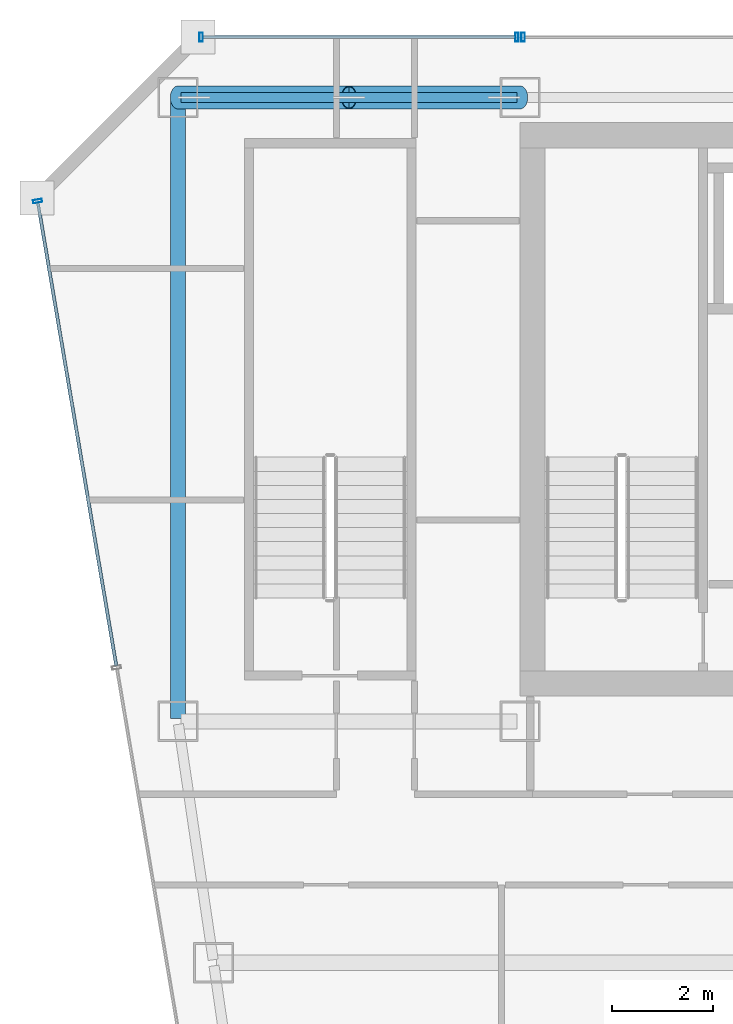
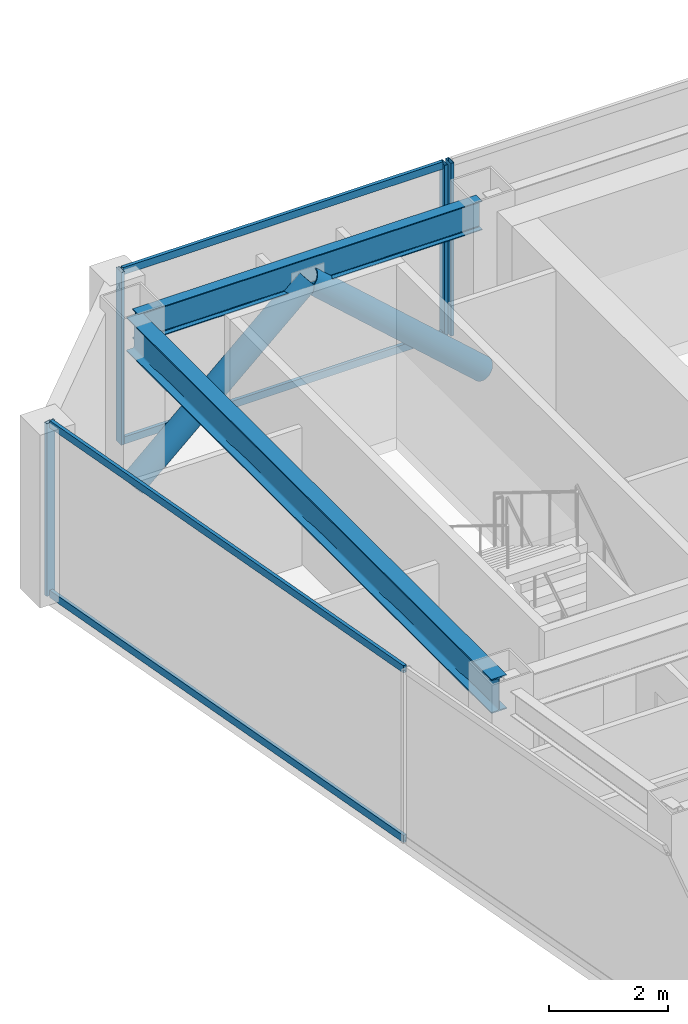
# One storey, part 23 of 36: 10 members, 2 beams, 3 elements without a shape of their own.
"""IFC4 building model written with IfcOpenShell, lengths in metres."""

from ifc_helpers import new_model, si_unit, direction, frame, origin, origin_2d, place, context, subcontext, project, spatial, hollow_rectangle, hollow_circle, i_section, extrude, material, material_profile, profile_set, type_object, element, aggregate, save


model = new_model("IFC4")

# Units and contexts
model_context = context("Model", 3, precision=1e-05, world=origin(), true_north=direction((0.0, 1.0)))
body_context = subcontext(model_context, "Body", "Model", "MODEL_VIEW")
ifc_project = project(units=[si_unit("LENGTHUNIT", "METRE"), si_unit("AREAUNIT", "SQUARE_METRE"), si_unit("VOLUMEUNIT", "CUBIC_METRE"), si_unit("PLANEANGLEUNIT", "RADIAN"), si_unit("MASSUNIT", "GRAM", prefix="KILO")], contexts=[model_context])

# Site, building, storey
site_placement = place(None, origin())
site = spatial("IfcSite", under=ifc_project, at=site_placement, CompositionType="ELEMENT")
building_placement = place(site_placement, origin())
building = spatial("IfcBuilding", under=site, at=building_placement, Name="Saevonmaru Cultural Tower", CompositionType="ELEMENT")
storey_placement = place(building_placement, frame((0.0, 0.0, 186.60009765625)))
storey = spatial("IfcBuildingStorey", under=building, at=storey_placement, Name="L42", CompositionType="ELEMENT", Elevation=186.60009765625)

# Beams
ifc_material_1 = material(Name="Steel SM355", Category="steel")
ifc_material_profile_1 = material_profile(ifc_material_1, i_section(OverallWidth=0.300048828125, OverallDepth=0.699951171875, WebThickness=0.012939453125, FlangeThickness=0.02392578125, FilletRadius=0.02587890625, at=origin_2d()), Name="H-700x300x13x24")
ifc_profile_set_1 = profile_set([ifc_material_profile_1], Name="Steel SM355")
beam_type_1 = type_object("IfcBeamType", Name="BM-G-H700", PredefinedType="BEAM", material=ifc_profile_set_1)
beam_1_placement = place(storey_placement, frame((6.800048828125, 54.739990234375, 3.199951171875), z_axis=(0.0, -1.0, 0.0), x_axis=(1.0, 0.0, 0.0)))
element("IfcBeam", 1, at=beam_1_placement, inside=storey, type_object=beam_type_1, Name="L42 Spine Transverse Girder W", PredefinedType="BEAM", context=body_context, shape_type="SweptSolid", body=[
    extrude(i_section(OverallWidth=0.300048828125, OverallDepth=0.699951171875, WebThickness=0.012939453125, FlangeThickness=0.02392578125, FilletRadius=0.02587890625, at=origin_2d()), origin(), (0.0, 0.0, 1.0), 12.280029296875),
])
ifc_material_profile_2 = material_profile(ifc_material_1, i_section(OverallWidth=0.199951171875, OverallDepth=0.60009765625, WebThickness=0.010986328125, FlangeThickness=0.01708984375, FilletRadius=0.02197265625, at=origin_2d()), Name="H-600x200x11x17")
ifc_profile_set_2 = profile_set([ifc_material_profile_2], Name="Steel SM355")
beam_type_2 = type_object("IfcBeamType", Name="BM-SP-H600", PredefinedType="SPANDREL", material=ifc_profile_set_2)
beam_2_placement = place(storey_placement, frame((6.860107421875, 54.800048828125, 3.25), z_axis=(1.0, 0.0, 0.0), x_axis=(0.0, 1.0, 0.0)))
element("IfcBeam", 2, at=beam_2_placement, inside=storey, type_object=beam_type_2, Name="L42 North Spine Girder 1", PredefinedType="SPANDREL", context=body_context, shape_type="SweptSolid", body=[
    extrude(i_section(OverallWidth=0.199951171875, OverallDepth=0.60009765625, WebThickness=0.010986328125, FlangeThickness=0.01708984375, FilletRadius=0.02197265625, at=origin_2d()), origin(), (0.0, 0.0, 1.0), 6.679931640625),
])

# Members
ifc_material_2 = material(Name="Steel SM420", Category="steel")
ifc_material_profile_3 = material_profile(ifc_material_2, hollow_circle(Radius=0.228515625, WallThickness=0.02001953125, at=origin_2d()), Name="CHS-457.2x20")
ifc_profile_set_3 = profile_set([ifc_material_profile_3], Name="Steel SM420")
member_type_1 = type_object("IfcMemberType", Name="MB-PBR-CHS457", PredefinedType="BRACE", material=ifc_profile_set_3)
member_1_placement = place(storey_placement, frame((6.800048828125, 54.800048828125, 0.02001953125), z_axis=(0.744393515062, 0.0, 0.667741188436), x_axis=(0.0, 1.0, 0.0)))
element("IfcMember", 3, at=member_1_placement, inside=storey, type_object=member_type_1, Name="L42 Perimeter Braced-Tube Diagonal WN1", PredefinedType="BRACE", context=body_context, shape_type="SweptSolid", body=[
    extrude(hollow_circle(Radius=0.228515625, WallThickness=0.02001953125, at=origin_2d()), origin(), (0.0, 0.0, 1.0), 4.5673828125),
])
member_2_placement = place(storey_placement, frame((13.60009765625, 54.800048828125, 0.02001953125), z_axis=(-0.744417347397, 0.0, 0.66771461935), x_axis=(0.0, -1.0, 0.0)))
element("IfcMember", 4, at=member_2_placement, inside=storey, type_object=member_type_1, Name="L42 Perimeter Braced-Tube Diagonal WN2", PredefinedType="BRACE", context=body_context, shape_type="SweptSolid", body=[
    extrude(hollow_circle(Radius=0.228515625, WallThickness=0.02001953125, at=origin_2d()), origin(), (0.0, 0.0, 1.0), 4.567626953125),
])

# Curtain wall, member
ifc_material_3 = material(Name="Satin Bronze Anodised Aluminium", Category="aluminium")
curtain_wall_type = type_object("IfcCurtainWallType", Name="CW-TYP-B", PredefinedType="NOTDEFINED", material=ifc_material_3)
curtain_wall_1_placement = place(storey_placement, origin())
curtain_wall_1 = element("IfcCurtainWall", 5, at=curtain_wall_1_placement, inside=storey, type_object=curtain_wall_type, Name="L42 North Spine Unitised Curtain Wall E10B", PredefinedType="NOTDEFINED")
ifc_material_profile_4 = material_profile(ifc_material_3, hollow_rectangle(XDim=0.06494140625, YDim=0.179931640625, WallThickness=0.00390625, at=origin_2d()), Name="ALU-MULL-180x65x4")
ifc_profile_set_4 = profile_set([ifc_material_profile_4], Name="Satin Bronze Anodised Aluminium")
member_type_2 = type_object("IfcMemberType", Name="ML-CW-180x65", PredefinedType="MULLION", material=ifc_profile_set_4)
member_3_placement = place(storey_placement, frame((13.659912109375, 56.0, 0.0), z_axis=(0.0, 0.0, 1.0), x_axis=(-1.0, 0.0, 0.0)))
member_3 = element("IfcMember", 6, at=member_3_placement, type_object=member_type_2, Name="CW-TW-L42-E10B mullion 4", PredefinedType="MULLION", context=body_context, shape_type="SweptSolid", body=[
    extrude(hollow_rectangle(XDim=0.06494140625, YDim=0.179931640625, WallThickness=0.00390625, at=origin_2d()), origin(), (0.0, 0.0, 1.0), 3.5498046875),
])
aggregate(curtain_wall_1, [member_3])

# Curtain wall, members
curtain_wall_2_placement = place(storey_placement, origin())
curtain_wall_2 = element("IfcCurtainWall", 7, at=curtain_wall_2_placement, inside=storey, type_object=curtain_wall_type, Name="L42 West Braced Bay Spandrel Curtain Wall E10C", PredefinedType="NOTDEFINED")
member_4_placement = place(storey_placement, frame((13.5400390625, 56.0, 0.0), z_axis=(0.0, 0.0, 1.0), x_axis=(-1.0, 0.0, 0.0)))
member_4 = element("IfcMember", 8, at=member_4_placement, type_object=member_type_2, Name="CW-TW-L42-E10C mullion 1", PredefinedType="MULLION", context=body_context, shape_type="SweptSolid", body=[
    extrude(hollow_rectangle(XDim=0.06494140625, YDim=0.179931640625, WallThickness=0.00390625, at=origin_2d()), origin(), (0.0, 0.0, 1.0), 3.5498046875),
])
member_5_placement = place(storey_placement, frame((7.260009765625, 56.0, 0.0), z_axis=(0.0, 0.0, 1.0), x_axis=(-1.0, 0.0, 0.0)))
member_5 = element("IfcMember", 9, at=member_5_placement, type_object=member_type_2, Name="CW-TW-L42-E10C mullion 2", PredefinedType="MULLION", context=body_context, shape_type="SweptSolid", body=[
    extrude(hollow_rectangle(XDim=0.06494140625, YDim=0.179931640625, WallThickness=0.00390625, at=origin_2d()), origin(), (0.0, 0.0, 1.0), 3.5498046875),
])

# Curtain wall, member
curtain_wall_3_placement = place(storey_placement, origin())
curtain_wall_3 = element("IfcCurtainWall", 10, at=curtain_wall_3_placement, inside=storey, type_object=curtain_wall_type, Name="L42 Unitised Curtain Wall E12", PredefinedType="NOTDEFINED")
member_6_placement = place(storey_placement, frame((4.010009765625, 52.74072265625, 0.0), z_axis=(0.0, 0.0, 1.0), x_axis=(0.16692169721, -0.985970155228, 0.0)))
member_6 = element("IfcMember", 11, at=member_6_placement, type_object=member_type_2, Name="CW-TW-L42-E12 mullion 1", PredefinedType="MULLION", context=body_context, shape_type="SweptSolid", body=[
    extrude(hollow_rectangle(XDim=0.06494140625, YDim=0.179931640625, WallThickness=0.00390625, at=origin_2d()), origin(), (0.0, 0.0, 1.0), 3.5498046875),
])

# Member
ifc_material_profile_5 = material_profile(ifc_material_3, hollow_rectangle(XDim=0.06494140625, YDim=0.14990234375, WallThickness=0.00390625, at=origin_2d()), Name="ALU-TRAN-150x65x4")
ifc_profile_set_5 = profile_set([ifc_material_profile_5], Name="Satin Bronze Anodised Aluminium")
member_type_3 = type_object("IfcMemberType", Name="TR-CW-150x65", PredefinedType="USERDEFINED", material=ifc_profile_set_5)
member_7_placement = place(storey_placement, frame((13.507568359375, 56.0, 0.032470703125), z_axis=(-1.0, 0.0, 0.0), x_axis=(0.0, -1.0, 0.0)))
member_7 = element("IfcMember", 12, at=member_7_placement, type_object=member_type_3, Name="CW-TW-L42-E10C transom 1.1", ObjectType="TRANSOM", PredefinedType="USERDEFINED", context=body_context, shape_type="SweptSolid", body=[
    extrude(hollow_rectangle(XDim=0.06494140625, YDim=0.14990234375, WallThickness=0.00390625, at=origin_2d()), origin(), (0.0, 0.0, 1.0), 6.215087890625),
])

member_8_placement = place(storey_placement, frame((13.507568359375, 56.0, 3.517333984375), z_axis=(-1.0, 0.0, 0.0), x_axis=(0.0, -1.0, 0.0)))
member_8 = element("IfcMember", 13, at=member_8_placement, type_object=member_type_3, Name="CW-TW-L42-E10C transom 1.2", ObjectType="TRANSOM", PredefinedType="USERDEFINED", context=body_context, shape_type="SweptSolid", body=[
    extrude(hollow_rectangle(XDim=0.06494140625, YDim=0.14990234375, WallThickness=0.00390625, at=origin_2d()), origin(), (0.0, 0.0, 1.0), 6.215087890625),
])

aggregate(curtain_wall_2, [member_4, member_5, member_7, member_8])

member_9_placement = place(storey_placement, frame((4.015380859375, 52.708740234375, 0.032470703125), z_axis=(0.166921263871, -0.985970228591, 0.0), x_axis=(0.985970228591, 0.166921263871, 0.0)))
member_9 = element("IfcMember", 14, at=member_9_placement, type_object=member_type_3, Name="CW-TW-L42-E12 transom 1.1", ObjectType="TRANSOM", PredefinedType="USERDEFINED", context=body_context, shape_type="SweptSolid", body=[
    extrude(hollow_rectangle(XDim=0.06494140625, YDim=0.14990234375, WallThickness=0.00390625, at=origin_2d()), origin(), (0.0, 0.0, 1.0), 9.33740234375),
])

member_10_placement = place(storey_placement, frame((4.015380859375, 52.708740234375, 3.517333984375), z_axis=(0.166921263871, -0.985970228591, 0.0), x_axis=(0.985970228591, 0.166921263871, 0.0)))
member_10 = element("IfcMember", 15, at=member_10_placement, type_object=member_type_3, Name="CW-TW-L42-E12 transom 1.2", ObjectType="TRANSOM", PredefinedType="USERDEFINED", context=body_context, shape_type="SweptSolid", body=[
    extrude(hollow_rectangle(XDim=0.06494140625, YDim=0.14990234375, WallThickness=0.00390625, at=origin_2d()), origin(), (0.0, 0.0, 1.0), 9.33740234375),
])

aggregate(curtain_wall_3, [member_6, member_9, member_10])

save(model, "model.ifc")
